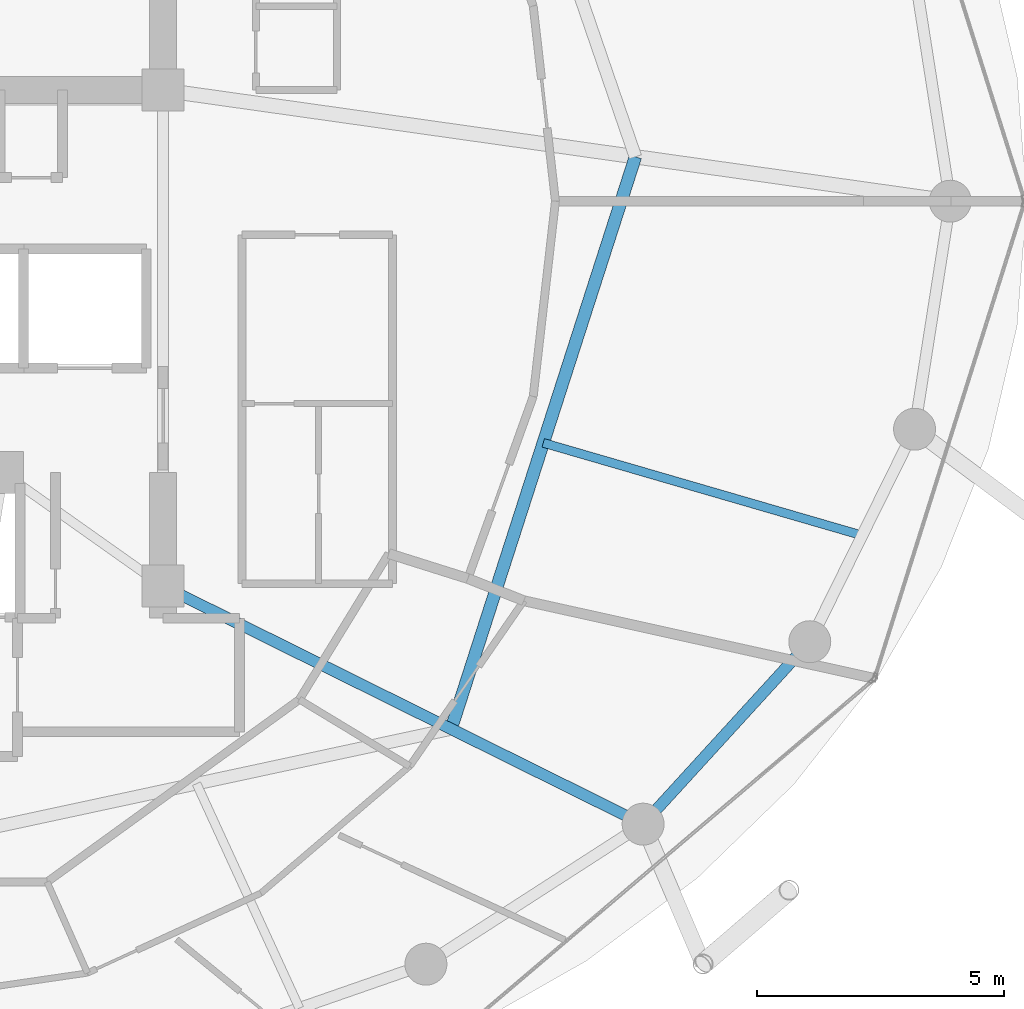
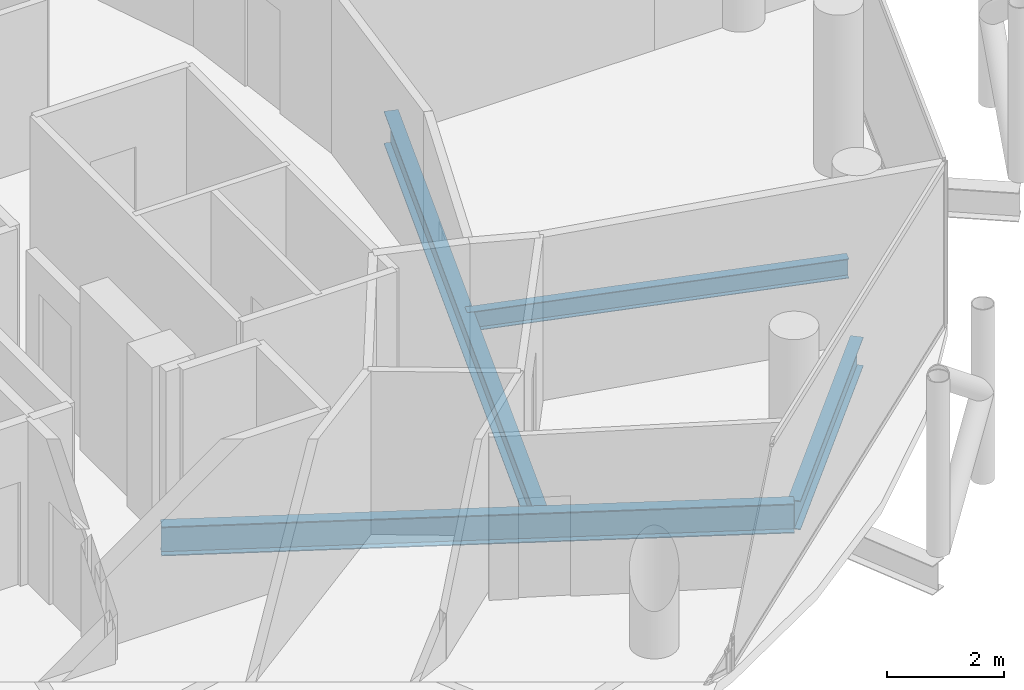
# One storey, part 12 of 27: 4 beams.
"""IFC4 building model written with IfcOpenShell, lengths in metres."""

from ifc_helpers import new_model, si_unit, direction, frame, origin, origin_2d, place, context, subcontext, project, spatial, i_section, extrude, material, material_profile, profile_set, type_object, element, save


model = new_model("IFC4")

# Units and contexts
model_context = context("Model", 3, precision=1e-05, world=origin(), true_north=direction((0.0, 1.0)))
body_context = subcontext(model_context, "Body", "Model", "MODEL_VIEW")
ifc_project = project(units=[si_unit("LENGTHUNIT", "METRE"), si_unit("AREAUNIT", "SQUARE_METRE"), si_unit("VOLUMEUNIT", "CUBIC_METRE"), si_unit("PLANEANGLEUNIT", "RADIAN"), si_unit("MASSUNIT", "GRAM", prefix="KILO")], contexts=[model_context])

# Site, building, storey
site_placement = place(None, origin())
site = spatial("IfcSite", under=ifc_project, at=site_placement, CompositionType="ELEMENT")
building_placement = place(site_placement, origin())
building = spatial("IfcBuilding", under=site, at=building_placement, Name="Nuhasar Tower", CompositionType="ELEMENT")
storey_placement = place(building_placement, frame((0.0, 0.0, 233.699951171875)))
storey = spatial("IfcBuildingStorey", under=building, at=storey_placement, Name="L57", CompositionType="ELEMENT", Elevation=233.699951171875)

# Beams
ifc_material = material(Name="Steel S355", Category="steel")
ifc_material_profile_1 = material_profile(ifc_material, i_section(OverallWidth=0.25390625, OverallDepth=0.68408203125, WebThickness=0.012451171875, FlangeThickness=0.018798828125, at=origin_2d()), Name="W27X94")
ifc_profile_set_1 = profile_set([ifc_material_profile_1], Name="Steel S355")
beam_type_1 = type_object("IfcBeamType", Name="BM-INRING-W27X94", PredefinedType="BEAM", material=ifc_profile_set_1)
beam_1_placement = place(storey_placement, frame((50.135986328125, 16.10693359375, -0.58203125), z_axis=(0.306589852134, 0.951841721385, 0.0), x_axis=(-0.951841721385, 0.306589852134, 0.0)))
element("IfcBeam", 1, at=beam_1_placement, inside=storey, type_object=beam_type_1, Name="L57 Inner Header Beam 03", PredefinedType="BEAM", context=body_context, shape_type="SweptSolid", body=[
    extrude(i_section(OverallWidth=0.25390625, OverallDepth=0.68408203125, WebThickness=0.012451171875, FlangeThickness=0.018798828125, at=origin_2d()), origin(), (0.0, 0.0, 1.0), 12.179443359375),
])
ifc_material_profile_2 = material_profile(ifc_material, i_section(OverallWidth=0.177978515625, OverallDepth=0.406005859375, WebThickness=0.0078125, FlangeThickness=0.0126953125, at=origin_2d()), Name="W16X40")
ifc_profile_set_2 = profile_set([ifc_material_profile_2], Name="Steel S355")
beam_type_2 = type_object("IfcBeamType", Name="BM-JST-W16X40", PredefinedType="JOIST", material=ifc_profile_set_2)
beam_2_placement = place(storey_placement, frame((52.0029296875, 21.904052734375, -0.44287109375), z_axis=(0.960312689798, -0.27892568511, 0.0), x_axis=(0.27892568511, 0.960312689798, 0.0)))
element("IfcBeam", 2, at=beam_2_placement, inside=storey, type_object=beam_type_2, Name="L57 Secondary Floor Joist 03", PredefinedType="JOIST", context=body_context, shape_type="SweptSolid", body=[
    extrude(i_section(OverallWidth=0.177978515625, OverallDepth=0.406005859375, WebThickness=0.0078125, FlangeThickness=0.0126953125, at=origin_2d()), origin(), (0.0, 0.0, 1.0), 6.729248046875),
])
ifc_material_profile_3 = material_profile(ifc_material, i_section(OverallWidth=0.22900390625, OverallDepth=0.612060546875, WebThickness=0.011962890625, FlangeThickness=0.01953125, at=origin_2d()), Name="W24X84")
ifc_profile_set_3 = profile_set([ifc_material_profile_3], Name="Steel S355")
beam_type_3 = type_object("IfcBeamType", Name="BM-RAD-W24X84", PredefinedType="BEAM", material=ifc_profile_set_3)
beam_3_placement = place(storey_placement, frame((44.300048828125, 19.0, -0.5458984375), z_axis=(0.895928935233, -0.444197414459, 0.0), x_axis=(0.444197414459, 0.895928935233, 0.0)))
element("IfcBeam", 3, at=beam_3_placement, inside=storey, type_object=beam_type_3, Name="L57 Radial Floor Girder 03", PredefinedType="BEAM", context=body_context, shape_type="SweptSolid", body=[
    extrude(i_section(OverallWidth=0.22900390625, OverallDepth=0.612060546875, WebThickness=0.011962890625, FlangeThickness=0.01953125, at=origin_2d()), origin(), (0.0, 0.0, 1.0), 10.85546875),
])
ifc_material_profile_4 = material_profile(ifc_material, i_section(OverallWidth=0.22802734375, OverallDepth=0.60791015625, WebThickness=0.01123046875, FlangeThickness=0.017333984375, at=origin_2d()), Name="W24X76")
ifc_profile_set_4 = profile_set([ifc_material_profile_4], Name="Steel S355")
beam_type_4 = type_object("IfcBeamType", Name="BM-RING-W24X76", PredefinedType="SPANDREL", material=ifc_profile_set_4)
beam_4_placement = place(storey_placement, frame((54.02587890625, 14.177978515625, -0.5439453125), z_axis=(0.674449692975, 0.738320805373, 0.0), x_axis=(-0.738320805373, 0.674449692975, 0.0)))
element("IfcBeam", 4, at=beam_4_placement, inside=storey, type_object=beam_type_4, Name="L57 Perimeter Ring Spandrel 22", PredefinedType="SPANDREL", context=body_context, shape_type="SweptSolid", body=[
    extrude(i_section(OverallWidth=0.22802734375, OverallDepth=0.60791015625, WebThickness=0.01123046875, FlangeThickness=0.017333984375, at=origin_2d()), origin(), (0.0, 0.0, 1.0), 5.00732421875),
])

save(model, "model.ifc")
